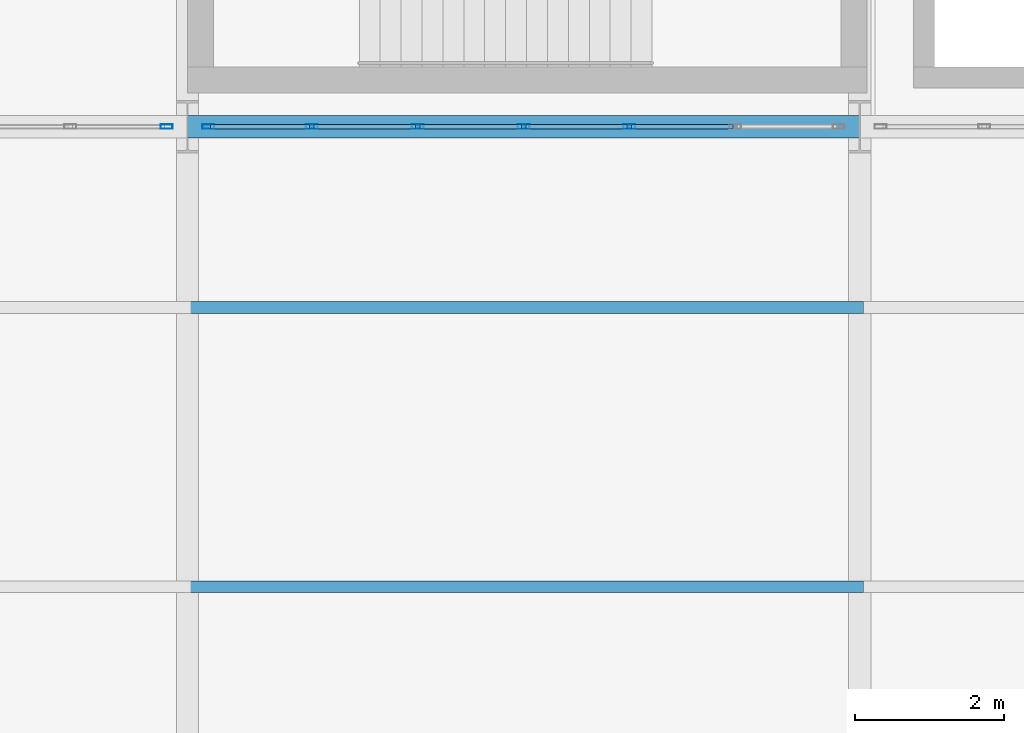
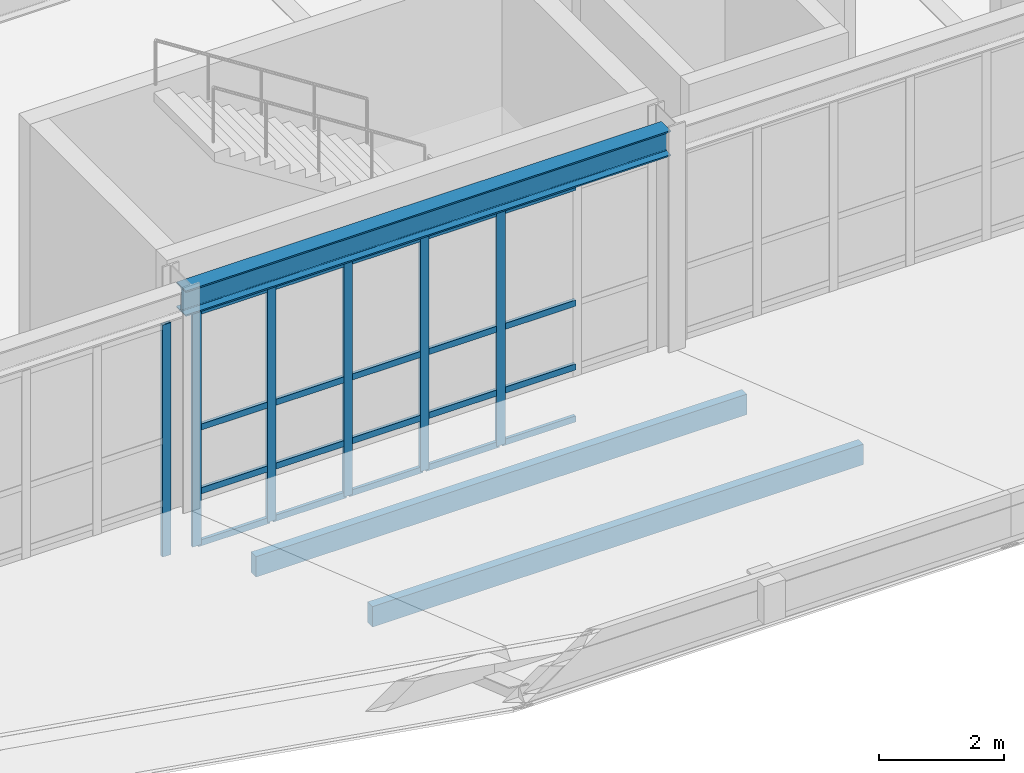
# One storey, part 50 of 239: 28 members, 1 beam, 2 elements without a shape of their own.
"""IFC4 building model written with IfcOpenShell, lengths in metres."""

from ifc_helpers import new_model, si_unit, direction, frame, origin, origin_2d, place, context, subcontext, project, spatial, rectangle, hollow_rectangle, i_section, extrude, material, material_profile, profile_set, type_object, element, aggregate, save


model = new_model("IFC4")

# Units and contexts
model_context = context("Model", 3, precision=1e-05, world=origin(), true_north=direction((0.0, 1.0)))
body_context = subcontext(model_context, "Body", "Model", "MODEL_VIEW")
ifc_project = project(units=[si_unit("LENGTHUNIT", "METRE"), si_unit("AREAUNIT", "SQUARE_METRE"), si_unit("VOLUMEUNIT", "CUBIC_METRE"), si_unit("PLANEANGLEUNIT", "RADIAN"), si_unit("MASSUNIT", "GRAM", prefix="KILO")], contexts=[model_context])

# Site, building, storey
site_placement = place(None, origin())
site = spatial("IfcSite", under=ifc_project, at=site_placement, CompositionType="ELEMENT")
building_placement = place(site_placement, origin())
building = spatial("IfcBuilding", under=site, at=building_placement, Name="Kaldris Quays Convention Centre", CompositionType="ELEMENT")
storey_placement = place(building_placement, frame((0.0, 0.0, 11.39990234375)))
storey = spatial("IfcBuildingStorey", under=building, at=storey_placement, Name="L02", CompositionType="ELEMENT", Elevation=11.39990234375)

# Curtain wall, member
ifc_material_1 = material(Name="Anodized aluminium AW-6060 and triple glazing", Category="aluminium")
curtain_wall_type = type_object("IfcCurtainWallType", Name="UNITISED CURTAIN WALL CW04", PredefinedType="NOTDEFINED", material=ifc_material_1)
curtain_wall_1_placement = place(storey_placement, origin())
curtain_wall_1 = element("IfcCurtainWall", 1, at=curtain_wall_1_placement, inside=storey, type_object=curtain_wall_type, Name="L02 Unitised Curtain Wall CW04 114", PredefinedType="NOTDEFINED")
ifc_material_2 = material(Name="Anodized aluminium AW-6060", Category="aluminium")
ifc_material_profile_1 = material_profile(ifc_material_2, hollow_rectangle(XDim=0.06005859375, YDim=0.159912109375, WallThickness=0.00390625, at=origin_2d()), Name="RHS 160x60x4")
ifc_profile_set_1 = profile_set([ifc_material_profile_1], Name="Anodized aluminium AW-6060")
member_type_1 = type_object("IfcMemberType", Name="CURTAIN MULLION CWM1", PredefinedType="MULLION", material=ifc_profile_set_1)
member_1_placement = place(storey_placement, frame((91.719970703125, 38.0, 0.0), z_axis=(0.0, 0.0, 1.0), x_axis=(0.0, 1.0, 0.0)))
member_1 = element("IfcMember", 2, at=member_1_placement, type_object=member_type_1, Name="CW04 mullion 7", PredefinedType="MULLION", context=body_context, shape_type="SweptSolid", body=[
    extrude(hollow_rectangle(XDim=0.06005859375, YDim=0.159912109375, WallThickness=0.00390625, at=origin_2d()), origin(), (0.0, 0.0, 1.0), 4.548095703125),
])
aggregate(curtain_wall_1, [member_1])

# Curtain wall, members
curtain_wall_2_placement = place(storey_placement, origin())
curtain_wall_2 = element("IfcCurtainWall", 3, at=curtain_wall_2_placement, inside=storey, type_object=curtain_wall_type, Name="L02 Unitised Curtain Wall CW04 115", PredefinedType="NOTDEFINED")
member_2_placement = place(storey_placement, frame((92.280029296875, 38.0, 0.0), z_axis=(0.0, 0.0, 1.0), x_axis=(0.0, 1.0, 0.0)))
member_2 = element("IfcMember", 4, at=member_2_placement, type_object=member_type_1, Name="CW04 mullion 1", PredefinedType="MULLION", context=body_context, shape_type="SweptSolid", body=[
    extrude(hollow_rectangle(XDim=0.06005859375, YDim=0.159912109375, WallThickness=0.00390625, at=origin_2d()), origin(), (0.0, 0.0, 1.0), 4.60009765625),
])
member_3_placement = place(storey_placement, frame((93.666748046875, 38.0, 0.0), z_axis=(0.0, 0.0, 1.0), x_axis=(0.0, 1.0, 0.0)))
member_3 = element("IfcMember", 5, at=member_3_placement, type_object=member_type_1, Name="CW04 mullion 2", PredefinedType="MULLION", context=body_context, shape_type="SweptSolid", body=[
    extrude(hollow_rectangle(XDim=0.06005859375, YDim=0.159912109375, WallThickness=0.00390625, at=origin_2d()), origin(), (0.0, 0.0, 1.0), 4.60009765625),
])
member_4_placement = place(storey_placement, frame((95.083251953125, 38.0, 0.0), z_axis=(0.0, 0.0, 1.0), x_axis=(0.0, 1.0, 0.0)))
member_4 = element("IfcMember", 6, at=member_4_placement, type_object=member_type_1, Name="CW04 mullion 3", PredefinedType="MULLION", context=body_context, shape_type="SweptSolid", body=[
    extrude(hollow_rectangle(XDim=0.06005859375, YDim=0.159912109375, WallThickness=0.00390625, at=origin_2d()), origin(), (0.0, 0.0, 1.0), 4.60009765625),
])
member_5_placement = place(storey_placement, frame((96.5, 38.0, 0.0), z_axis=(0.0, 0.0, 1.0), x_axis=(0.0, 1.0, 0.0)))
member_5 = element("IfcMember", 7, at=member_5_placement, type_object=member_type_1, Name="CW04 mullion 4", PredefinedType="MULLION", context=body_context, shape_type="SweptSolid", body=[
    extrude(hollow_rectangle(XDim=0.06005859375, YDim=0.159912109375, WallThickness=0.00390625, at=origin_2d()), origin(), (0.0, 0.0, 1.0), 4.60009765625),
])
member_6_placement = place(storey_placement, frame((97.916748046875, 38.0, 0.0), z_axis=(0.0, 0.0, 1.0), x_axis=(0.0, 1.0, 0.0)))
member_6 = element("IfcMember", 8, at=member_6_placement, type_object=member_type_1, Name="CW04 mullion 5", PredefinedType="MULLION", context=body_context, shape_type="SweptSolid", body=[
    extrude(hollow_rectangle(XDim=0.06005859375, YDim=0.159912109375, WallThickness=0.00390625, at=origin_2d()), origin(), (0.0, 0.0, 1.0), 4.60009765625),
])
ifc_material_profile_2 = material_profile(ifc_material_2, hollow_rectangle(XDim=0.06005859375, YDim=0.1201171875, WallThickness=0.00390625, at=origin_2d()), Name="RHS 120x60x4")
ifc_profile_set_2 = profile_set([ifc_material_profile_2], Name="Anodized aluminium AW-6060")
member_type_2 = type_object("IfcMemberType", Name="CURTAIN TRANSOM CWT1", PredefinedType="USERDEFINED", material=ifc_profile_set_2)
member_7_placement = place(storey_placement, frame((92.31005859375, 38.0, 0.030029296875), z_axis=(1.0, 0.0, 0.0), x_axis=(0.0, 1.0, 0.0)))
member_7 = element("IfcMember", 9, at=member_7_placement, type_object=member_type_2, Name="CW04 transom 1.1", ObjectType="TRANSOM", PredefinedType="USERDEFINED", context=body_context, shape_type="SweptSolid", body=[
    extrude(hollow_rectangle(XDim=0.06005859375, YDim=0.1201171875, WallThickness=0.00390625, at=origin_2d()), origin(), (0.0, 0.0, 1.0), 1.32666015625),
])
member_8_placement = place(storey_placement, frame((92.31005859375, 38.0, 1.050048828125), z_axis=(1.0, 0.0, 0.0), x_axis=(0.0, 1.0, 0.0)))
member_8 = element("IfcMember", 10, at=member_8_placement, type_object=member_type_2, Name="CW04 transom 1.2", ObjectType="TRANSOM", PredefinedType="USERDEFINED", context=body_context, shape_type="SweptSolid", body=[
    extrude(hollow_rectangle(XDim=0.06005859375, YDim=0.1201171875, WallThickness=0.00390625, at=origin_2d()), origin(), (0.0, 0.0, 1.0), 1.32666015625),
])
member_9_placement = place(storey_placement, frame((92.31005859375, 38.0, 2.300048828125), z_axis=(1.0, 0.0, 0.0), x_axis=(0.0, 1.0, 0.0)))
member_9 = element("IfcMember", 11, at=member_9_placement, type_object=member_type_2, Name="CW04 transom 1.3", ObjectType="TRANSOM", PredefinedType="USERDEFINED", context=body_context, shape_type="SweptSolid", body=[
    extrude(hollow_rectangle(XDim=0.06005859375, YDim=0.1201171875, WallThickness=0.00390625, at=origin_2d()), origin(), (0.0, 0.0, 1.0), 1.32666015625),
])
member_10_placement = place(storey_placement, frame((92.31005859375, 38.0, 4.570068359375), z_axis=(1.0, 0.0, 0.0), x_axis=(0.0, 1.0, 0.0)))
member_10 = element("IfcMember", 12, at=member_10_placement, type_object=member_type_2, Name="CW04 transom 1.4", ObjectType="TRANSOM", PredefinedType="USERDEFINED", context=body_context, shape_type="SweptSolid", body=[
    extrude(hollow_rectangle(XDim=0.06005859375, YDim=0.1201171875, WallThickness=0.00390625, at=origin_2d()), origin(), (0.0, 0.0, 1.0), 1.32666015625),
])
member_11_placement = place(storey_placement, frame((93.69677734375, 38.0, 0.030029296875), z_axis=(1.0, 0.0, 0.0), x_axis=(0.0, 1.0, 0.0)))
member_11 = element("IfcMember", 13, at=member_11_placement, type_object=member_type_2, Name="CW04 transom 2.1", ObjectType="TRANSOM", PredefinedType="USERDEFINED", context=body_context, shape_type="SweptSolid", body=[
    extrude(hollow_rectangle(XDim=0.06005859375, YDim=0.1201171875, WallThickness=0.00390625, at=origin_2d()), origin(), (0.0, 0.0, 1.0), 1.3564453125),
])
member_12_placement = place(storey_placement, frame((93.69677734375, 38.0, 1.050048828125), z_axis=(1.0, 0.0, 0.0), x_axis=(0.0, 1.0, 0.0)))
member_12 = element("IfcMember", 14, at=member_12_placement, type_object=member_type_2, Name="CW04 transom 2.2", ObjectType="TRANSOM", PredefinedType="USERDEFINED", context=body_context, shape_type="SweptSolid", body=[
    extrude(hollow_rectangle(XDim=0.06005859375, YDim=0.1201171875, WallThickness=0.00390625, at=origin_2d()), origin(), (0.0, 0.0, 1.0), 1.3564453125),
])
member_13_placement = place(storey_placement, frame((93.69677734375, 38.0, 2.300048828125), z_axis=(1.0, 0.0, 0.0), x_axis=(0.0, 1.0, 0.0)))
member_13 = element("IfcMember", 15, at=member_13_placement, type_object=member_type_2, Name="CW04 transom 2.3", ObjectType="TRANSOM", PredefinedType="USERDEFINED", context=body_context, shape_type="SweptSolid", body=[
    extrude(hollow_rectangle(XDim=0.06005859375, YDim=0.1201171875, WallThickness=0.00390625, at=origin_2d()), origin(), (0.0, 0.0, 1.0), 1.3564453125),
])
member_14_placement = place(storey_placement, frame((93.69677734375, 38.0, 4.570068359375), z_axis=(1.0, 0.0, 0.0), x_axis=(0.0, 1.0, 0.0)))
member_14 = element("IfcMember", 16, at=member_14_placement, type_object=member_type_2, Name="CW04 transom 2.4", ObjectType="TRANSOM", PredefinedType="USERDEFINED", context=body_context, shape_type="SweptSolid", body=[
    extrude(hollow_rectangle(XDim=0.06005859375, YDim=0.1201171875, WallThickness=0.00390625, at=origin_2d()), origin(), (0.0, 0.0, 1.0), 1.3564453125),
])
member_15_placement = place(storey_placement, frame((95.11328125, 38.0, 0.030029296875), z_axis=(1.0, 0.0, 0.0), x_axis=(0.0, 1.0, 0.0)))
member_15 = element("IfcMember", 17, at=member_15_placement, type_object=member_type_2, Name="CW04 transom 3.1", ObjectType="TRANSOM", PredefinedType="USERDEFINED", context=body_context, shape_type="SweptSolid", body=[
    extrude(hollow_rectangle(XDim=0.06005859375, YDim=0.1201171875, WallThickness=0.00390625, at=origin_2d()), origin(), (0.0, 0.0, 1.0), 1.356689453125),
])
member_16_placement = place(storey_placement, frame((95.11328125, 38.0, 1.050048828125), z_axis=(1.0, 0.0, 0.0), x_axis=(0.0, 1.0, 0.0)))
member_16 = element("IfcMember", 18, at=member_16_placement, type_object=member_type_2, Name="CW04 transom 3.2", ObjectType="TRANSOM", PredefinedType="USERDEFINED", context=body_context, shape_type="SweptSolid", body=[
    extrude(hollow_rectangle(XDim=0.06005859375, YDim=0.1201171875, WallThickness=0.00390625, at=origin_2d()), origin(), (0.0, 0.0, 1.0), 1.356689453125),
])
member_17_placement = place(storey_placement, frame((95.11328125, 38.0, 2.300048828125), z_axis=(1.0, 0.0, 0.0), x_axis=(0.0, 1.0, 0.0)))
member_17 = element("IfcMember", 19, at=member_17_placement, type_object=member_type_2, Name="CW04 transom 3.3", ObjectType="TRANSOM", PredefinedType="USERDEFINED", context=body_context, shape_type="SweptSolid", body=[
    extrude(hollow_rectangle(XDim=0.06005859375, YDim=0.1201171875, WallThickness=0.00390625, at=origin_2d()), origin(), (0.0, 0.0, 1.0), 1.356689453125),
])
member_18_placement = place(storey_placement, frame((95.11328125, 38.0, 4.570068359375), z_axis=(1.0, 0.0, 0.0), x_axis=(0.0, 1.0, 0.0)))
member_18 = element("IfcMember", 20, at=member_18_placement, type_object=member_type_2, Name="CW04 transom 3.4", ObjectType="TRANSOM", PredefinedType="USERDEFINED", context=body_context, shape_type="SweptSolid", body=[
    extrude(hollow_rectangle(XDim=0.06005859375, YDim=0.1201171875, WallThickness=0.00390625, at=origin_2d()), origin(), (0.0, 0.0, 1.0), 1.356689453125),
])
member_19_placement = place(storey_placement, frame((96.530029296875, 38.0, 0.030029296875), z_axis=(1.0, 0.0, 0.0), x_axis=(0.0, 1.0, 0.0)))
member_19 = element("IfcMember", 21, at=member_19_placement, type_object=member_type_2, Name="CW04 transom 4.1", ObjectType="TRANSOM", PredefinedType="USERDEFINED", context=body_context, shape_type="SweptSolid", body=[
    extrude(hollow_rectangle(XDim=0.06005859375, YDim=0.1201171875, WallThickness=0.00390625, at=origin_2d()), origin(), (0.0, 0.0, 1.0), 1.356689453125),
])
member_20_placement = place(storey_placement, frame((96.530029296875, 38.0, 1.050048828125), z_axis=(1.0, 0.0, 0.0), x_axis=(0.0, 1.0, 0.0)))
member_20 = element("IfcMember", 22, at=member_20_placement, type_object=member_type_2, Name="CW04 transom 4.2", ObjectType="TRANSOM", PredefinedType="USERDEFINED", context=body_context, shape_type="SweptSolid", body=[
    extrude(hollow_rectangle(XDim=0.06005859375, YDim=0.1201171875, WallThickness=0.00390625, at=origin_2d()), origin(), (0.0, 0.0, 1.0), 1.356689453125),
])
member_21_placement = place(storey_placement, frame((96.530029296875, 38.0, 2.300048828125), z_axis=(1.0, 0.0, 0.0), x_axis=(0.0, 1.0, 0.0)))
member_21 = element("IfcMember", 23, at=member_21_placement, type_object=member_type_2, Name="CW04 transom 4.3", ObjectType="TRANSOM", PredefinedType="USERDEFINED", context=body_context, shape_type="SweptSolid", body=[
    extrude(hollow_rectangle(XDim=0.06005859375, YDim=0.1201171875, WallThickness=0.00390625, at=origin_2d()), origin(), (0.0, 0.0, 1.0), 1.356689453125),
])
member_22_placement = place(storey_placement, frame((96.530029296875, 38.0, 4.570068359375), z_axis=(1.0, 0.0, 0.0), x_axis=(0.0, 1.0, 0.0)))
member_22 = element("IfcMember", 24, at=member_22_placement, type_object=member_type_2, Name="CW04 transom 4.4", ObjectType="TRANSOM", PredefinedType="USERDEFINED", context=body_context, shape_type="SweptSolid", body=[
    extrude(hollow_rectangle(XDim=0.06005859375, YDim=0.1201171875, WallThickness=0.00390625, at=origin_2d()), origin(), (0.0, 0.0, 1.0), 1.356689453125),
])
member_23_placement = place(storey_placement, frame((97.94677734375, 38.0, 0.030029296875), z_axis=(1.0, 0.0, 0.0), x_axis=(0.0, 1.0, 0.0)))
member_23 = element("IfcMember", 25, at=member_23_placement, type_object=member_type_2, Name="CW04 transom 5.1", ObjectType="TRANSOM", PredefinedType="USERDEFINED", context=body_context, shape_type="SweptSolid", body=[
    extrude(hollow_rectangle(XDim=0.06005859375, YDim=0.1201171875, WallThickness=0.00390625, at=origin_2d()), origin(), (0.0, 0.0, 1.0), 1.3564453125),
])
member_24_placement = place(storey_placement, frame((97.94677734375, 38.0, 1.050048828125), z_axis=(1.0, 0.0, 0.0), x_axis=(0.0, 1.0, 0.0)))
member_24 = element("IfcMember", 26, at=member_24_placement, type_object=member_type_2, Name="CW04 transom 5.2", ObjectType="TRANSOM", PredefinedType="USERDEFINED", context=body_context, shape_type="SweptSolid", body=[
    extrude(hollow_rectangle(XDim=0.06005859375, YDim=0.1201171875, WallThickness=0.00390625, at=origin_2d()), origin(), (0.0, 0.0, 1.0), 1.3564453125),
])
member_25_placement = place(storey_placement, frame((97.94677734375, 38.0, 2.300048828125), z_axis=(1.0, 0.0, 0.0), x_axis=(0.0, 1.0, 0.0)))
member_25 = element("IfcMember", 27, at=member_25_placement, type_object=member_type_2, Name="CW04 transom 5.3", ObjectType="TRANSOM", PredefinedType="USERDEFINED", context=body_context, shape_type="SweptSolid", body=[
    extrude(hollow_rectangle(XDim=0.06005859375, YDim=0.1201171875, WallThickness=0.00390625, at=origin_2d()), origin(), (0.0, 0.0, 1.0), 1.3564453125),
])
member_26_placement = place(storey_placement, frame((97.94677734375, 38.0, 4.570068359375), z_axis=(1.0, 0.0, 0.0), x_axis=(0.0, 1.0, 0.0)))
member_26 = element("IfcMember", 28, at=member_26_placement, type_object=member_type_2, Name="CW04 transom 5.4", ObjectType="TRANSOM", PredefinedType="USERDEFINED", context=body_context, shape_type="SweptSolid", body=[
    extrude(hollow_rectangle(XDim=0.06005859375, YDim=0.1201171875, WallThickness=0.00390625, at=origin_2d()), origin(), (0.0, 0.0, 1.0), 1.3564453125),
])
aggregate(curtain_wall_2, [member_2, member_3, member_4, member_5, member_6, member_7, member_8, member_9, member_10, member_11, member_12, member_13, member_14, member_15, member_16, member_17, member_18, member_19, member_20, member_21, member_22, member_23, member_24, member_25, member_26])

# Beam
ifc_material_3 = material(Name="Steel S355J2", Category="steel")
ifc_material_profile_3 = material_profile(ifc_material_3, i_section(OverallWidth=0.300048828125, OverallDepth=0.5, WebThickness=0.014404296875, FlangeThickness=0.028076171875, FilletRadius=0.027099609375, at=origin_2d()), Name="HEB 500")
ifc_profile_set_3 = profile_set([ifc_material_profile_3], Name="Steel S355J2")
beam_type = type_object("IfcBeamType", Name="STRUCTURAL BEAM BM06", PredefinedType="BEAM", material=ifc_profile_set_3)
beam_placement = place(storey_placement, frame((92.00244140625, 38.0, 4.9130859375), z_axis=(1.0, 0.0, 0.0), x_axis=(0.0, 1.0, 0.0)))
element("IfcBeam", 29, at=beam_placement, inside=storey, type_object=beam_type, Name="L02 Girder BM06 2", PredefinedType="BEAM", context=body_context, shape_type="SweptSolid", body=[
    extrude(i_section(OverallWidth=0.300048828125, OverallDepth=0.5, WebThickness=0.014404296875, FlangeThickness=0.028076171875, FilletRadius=0.027099609375, at=origin_2d()), origin(), (0.0, 0.0, 1.0), 8.9951171875),
])

# Members
ifc_material_4 = material(Name="Glulam GL28h", Category="wood")
ifc_material_profile_4 = material_profile(ifc_material_4, rectangle(XDim=0.159912109375, YDim=0.39990234375, at=origin_2d()), Name="GL 160x400")
ifc_profile_set_4 = profile_set([ifc_material_profile_4], Name="Glulam GL28h")
member_type_3 = type_object("IfcMemberType", Name="STRUCTURAL MEMBER PR01", PredefinedType="PURLIN", material=ifc_profile_set_4)
for number, where, z_axis, x_axis, name in (
    (30, (91.949951171875, 35.580078125, 1.201171875), (1.0, 0.0, 0.0), (0.0, 1.0, 0.0), "WR-SOUTH-ENTRY Glulam Wing Purlin 2"),
    (31, (91.949951171875, 31.840087890625, 2.489013671875), (1.0, 0.0, 0.0), (0.0, 1.0, 0.0), "WR-SOUTH-ENTRY Glulam Wing Purlin 2"),
):
    element("IfcMember", number, at=place(storey_placement, frame(where, z_axis=z_axis, x_axis=x_axis)), inside=storey, type_object=member_type_3, Name=name, PredefinedType="PURLIN", context=body_context, shape_type="SweptSolid", body=[
        extrude(rectangle(XDim=0.159912109375, YDim=0.39990234375, at=origin_2d()), origin(), (0.0, 0.0, 1.0), 9.10009765625),
    ])

save(model, "model.ifc")
